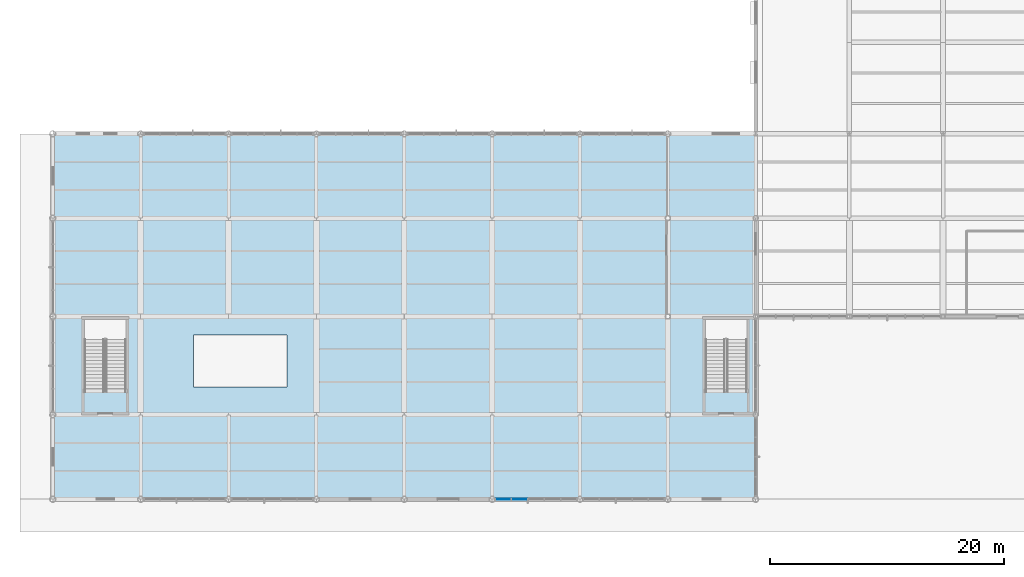
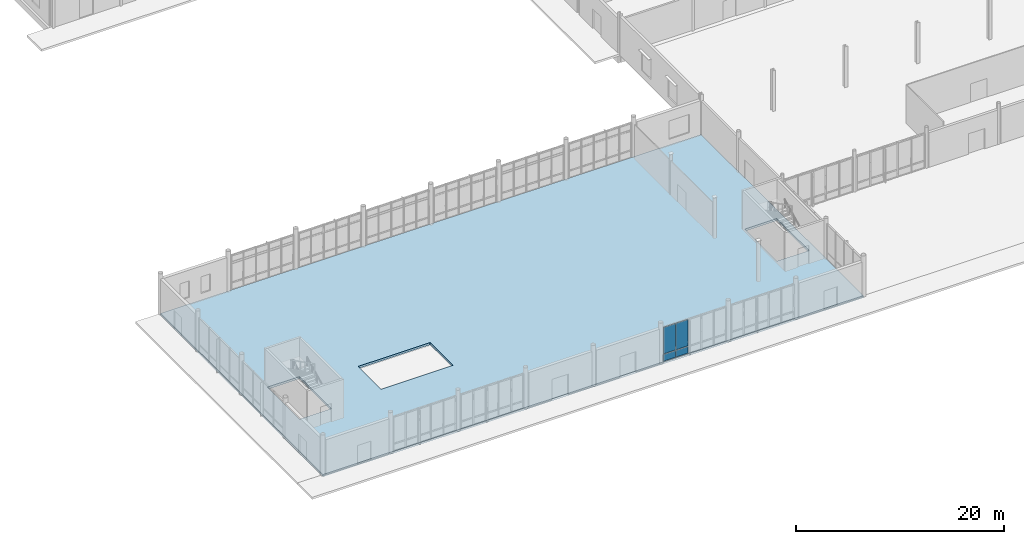
# One storey, part 36 of 82: 4 plates, 1 slab, 1 element without a shape of its own.
"""IFC4 building model written with IfcOpenShell, lengths in metres."""

from ifc_helpers import new_model, si_unit, direction, frame, origin, origin_2d, place, context, subcontext, project, spatial, polyline, rectangle, outline, extrude, material, layer, layer_set, type_object, element, aggregate, save


model = new_model("IFC4")

# Units and contexts
model_context = context("Model", 3, precision=1e-05, world=origin(), true_north=direction((0.0, 1.0)))
body_context = subcontext(model_context, "Body", "Model", "MODEL_VIEW")
ifc_project = project(units=[si_unit("LENGTHUNIT", "METRE"), si_unit("AREAUNIT", "SQUARE_METRE"), si_unit("VOLUMEUNIT", "CUBIC_METRE"), si_unit("PLANEANGLEUNIT", "RADIAN"), si_unit("MASSUNIT", "GRAM", prefix="KILO")], contexts=[model_context])

# Site, building, storey
site_placement = place(None, origin())
site = spatial("IfcSite", under=ifc_project, at=site_placement, CompositionType="ELEMENT")
building_placement = place(site_placement, origin())
building = spatial("IfcBuilding", under=site, at=building_placement, Name="Yukiwa Park Conservatory and Herbarium", CompositionType="ELEMENT")
storey_placement = place(building_placement, origin())
storey = spatial("IfcBuildingStorey", under=building, at=storey_placement, Name="L00", CompositionType="ELEMENT", Elevation=0.0)

# Curtain wall, plates
ifc_material_1 = material(Name="Triple Low-E Insulated Glass", Category="glass")
ifc_layer_1 = layer(ifc_material_1, 0.152099609375)
ifc_layer_set_1 = layer_set([ifc_layer_1], Name="Triple Low-E Insulated Glass")
curtain_wall_type = type_object("IfcCurtainWallType", Name="CW-CONSERVATORY-1500", PredefinedType="NOTDEFINED", material=ifc_layer_set_1)
curtain_wall_placement = place(storey_placement, origin())
curtain_wall = element("IfcCurtainWall", 1, at=curtain_wall_placement, inside=storey, type_object=curtain_wall_type, Name="L00 unitised curtain wall CW-L00-003", PredefinedType="NOTDEFINED")
ifc_material_2 = material(Name="Triple Low-E Insulated Glass", Category="glass")
ifc_layer_2 = layer(ifc_material_2, 0.035888671875)
ifc_layer_set_2 = layer_set([ifc_layer_2], Name="Triple Low-E Insulated Glass")
plate_type_1 = type_object("IfcPlateType", Name="PL-CW-GLZ-36", PredefinedType="CURTAIN_PANEL", material=ifc_layer_set_2)
plate_1_placement = place(storey_placement, frame((38.453125, 0.0, 0.93994140625), z_axis=(0.0, 0.0, 1.0), x_axis=(1.0, 0.0, 0.0)))
plate_1 = element("IfcPlate", 2, at=plate_1_placement, type_object=plate_type_1, Name="CW-L00-003 vision panel 1.2", PredefinedType="CURTAIN_PANEL", context=body_context, shape_type="SweptSolid", body=[
    extrude(rectangle(XDim=1.318359375, YDim=0.035888671875, at=origin_2d()), origin(), (0.0, 0.0, 1.0), 3.090087890625),
])
plate_2_placement = place(storey_placement, frame((39.8515625, 0.0, 0.93994140625), z_axis=(0.0, 0.0, 1.0), x_axis=(1.0, 0.0, 0.0)))
plate_2 = element("IfcPlate", 3, at=plate_2_placement, type_object=plate_type_1, Name="CW-L00-003 vision panel 2.2", PredefinedType="CURTAIN_PANEL", context=body_context, shape_type="SweptSolid", body=[
    extrude(rectangle(XDim=1.318359375, YDim=0.035888671875, at=origin_2d()), origin(), (0.0, 0.0, 1.0), 3.090087890625),
])
ifc_material_3 = material(Name="Anodised Aluminium", Category="aluminium")
ifc_layer_3 = layer(ifc_material_3, 0.044921875)
ifc_layer_set_3 = layer_set([ifc_layer_3], Name="Anodised Aluminium")
plate_type_2 = type_object("IfcPlateType", Name="PL-CW-SPN-45", PredefinedType="CURTAIN_PANEL", material=ifc_layer_set_3)
plate_3_placement = place(storey_placement, frame((38.453125, 0.0, 0.080078125), z_axis=(0.0, 0.0, 1.0), x_axis=(1.0, 0.0, 0.0)))
plate_3 = element("IfcPlate", 4, at=plate_3_placement, type_object=plate_type_2, Name="CW-L00-003 spandrel panel 1.1", PredefinedType="CURTAIN_PANEL", context=body_context, shape_type="SweptSolid", body=[
    extrude(rectangle(XDim=1.318359375, YDim=0.044921875, at=origin_2d()), origin(), (0.0, 0.0, 1.0), 0.780029296875),
])
plate_4_placement = place(storey_placement, frame((39.8515625, 0.0, 0.080078125), z_axis=(0.0, 0.0, 1.0), x_axis=(1.0, 0.0, 0.0)))
plate_4 = element("IfcPlate", 5, at=plate_4_placement, type_object=plate_type_2, Name="CW-L00-003 spandrel panel 2.1", PredefinedType="CURTAIN_PANEL", context=body_context, shape_type="SweptSolid", body=[
    extrude(rectangle(XDim=1.318359375, YDim=0.044921875, at=origin_2d()), origin(), (0.0, 0.0, 1.0), 0.780029296875),
])
aggregate(curtain_wall, [plate_3, plate_1, plate_4, plate_2])

# Slab
ifc_material_4 = material(Name="Concrete C40", Category="concrete")
ifc_layer_4 = layer(ifc_material_4, 0.260009765625)
ifc_layer_set_4 = layer_set([ifc_layer_4], Name="Concrete C40")
slab_type = type_object("IfcSlabType", Name="SL-FLR-260", PredefinedType="FLOOR", material=ifc_layer_set_4)
slab_placement = place(storey_placement, frame((0.0, 0.0, -0.260009765625)))
element("IfcSlab", 6, at=slab_placement, inside=storey, type_object=slab_type, Name="L00 composite structural floor slab V1", PredefinedType="FLOOR", context=body_context, shape_type="SweptSolid", body=[
    extrude(outline(polyline([(0.0, 31.199951171875), (60.0, 31.199951171875), (60.0, 0.0), (0.0, 0.0), (0.0, 31.199951171875)]), holes=[polyline([(12.0, 14.0), (12.0, 9.60009765625), (20.0, 9.60009765625), (20.0, 14.0), (12.0, 14.0)]), polyline([(6.25, 15.35009765625), (2.699951171875, 15.35009765625), (2.699951171875, 9.14990234375), (6.25, 9.14990234375), (6.25, 15.35009765625)]), polyline([(59.25, 15.35009765625), (55.699951171875, 15.35009765625), (55.699951171875, 9.14990234375), (59.25, 9.14990234375), (59.25, 15.35009765625)])]), origin(), (0.0, 0.0, 1.0), 0.260009765625),
])

save(model, "model.ifc")
